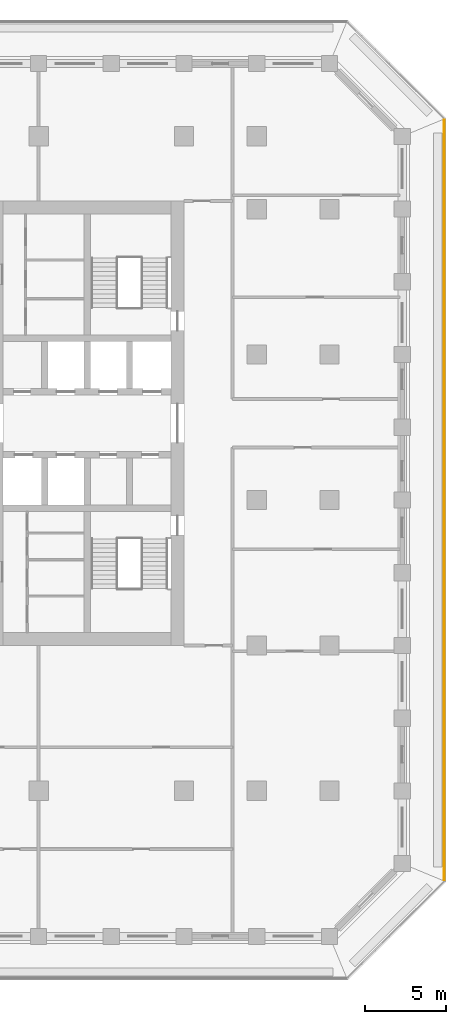
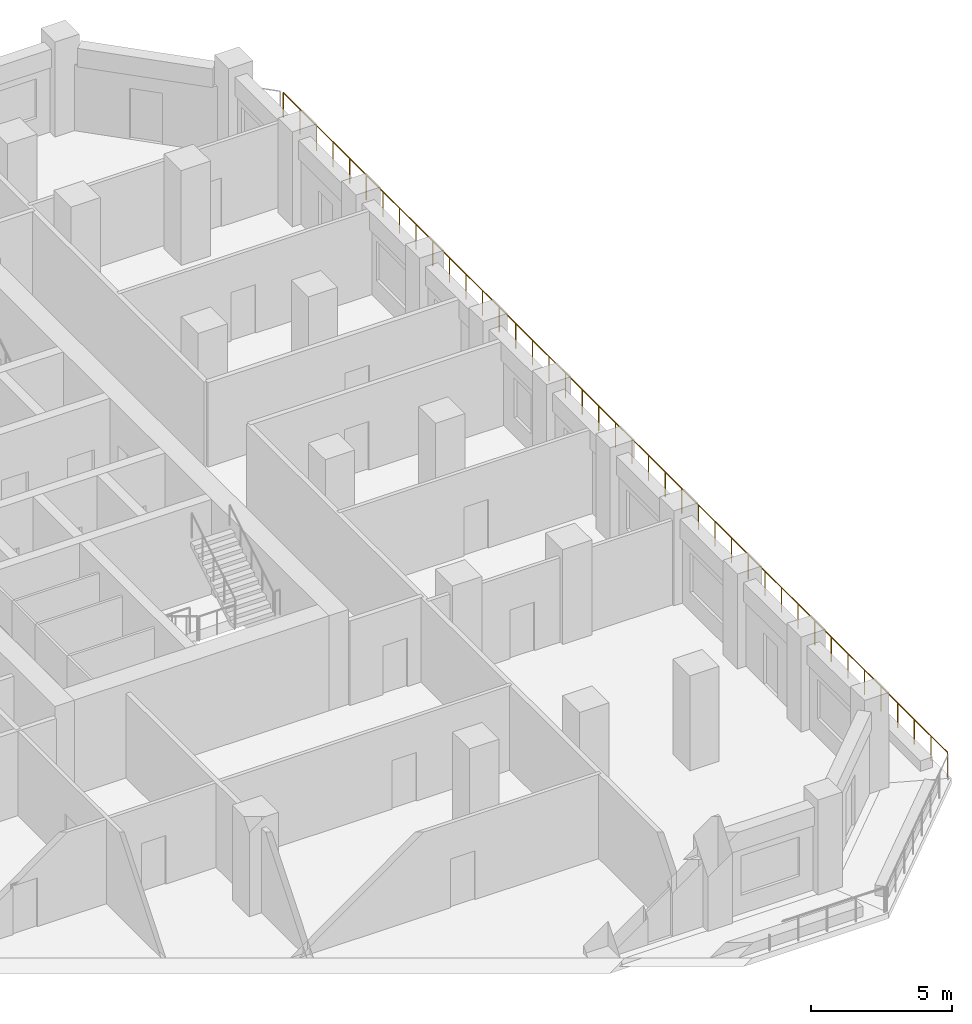
# One storey, part 12 of 16: 1 railing.
"""IFC4 building model written with IfcOpenShell, lengths in metres."""

from ifc_helpers import new_model, si_unit, direction, frame, origin, origin_2d, place, context, subcontext, project, spatial, circle, extrude, material, type_object, element, save


model = new_model("IFC4")

# Units and contexts
model_context = context("Model", 3, precision=1e-05, world=origin(), true_north=direction((0.0, 1.0)))
body_context = subcontext(model_context, "Body", "Model", "MODEL_VIEW")
ifc_project = project(units=[si_unit("LENGTHUNIT", "METRE"), si_unit("AREAUNIT", "SQUARE_METRE"), si_unit("VOLUMEUNIT", "CUBIC_METRE"), si_unit("PLANEANGLEUNIT", "RADIAN"), si_unit("MASSUNIT", "GRAM", prefix="KILO")], contexts=[model_context])

# Site, building, storey
site_placement = place(None, origin())
site = spatial("IfcSite", under=ifc_project, at=site_placement, CompositionType="ELEMENT")
building_placement = place(site_placement, origin())
building = spatial("IfcBuilding", under=site, at=building_placement, Name="Corbel Stack Research Tower", CompositionType="ELEMENT")
storey_placement = place(building_placement, frame((0.0, 0.0, 212.0)))
storey = spatial("IfcBuildingStorey", under=building, at=storey_placement, Name="L48", CompositionType="ELEMENT", Elevation=212.0)

# Railing
ifc_material = material(Name="Powder-coated steel guard", Category="steel")
railing_type = type_object("IfcRailingType", Name="Steel and glass guard 1100", PredefinedType="GUARDRAIL", material=ifc_material)
railing_placement = place(storey_placement, frame((34.10009765625, -23.50537109375, 0.0)))
element("IfcRailing", 1, at=railing_placement, inside=storey, type_object=railing_type, Name="Loggia guard L48 E", PredefinedType="GUARDRAIL", context=body_context, shape_type="SweptSolid", body=[
    extrude(circle(Radius=0.02392578125, at=origin_2d()), frame((0.0, 0.0, 1.076171875), z_axis=(0.0, 1.0, 0.0), x_axis=(-1.0, 0.0, 0.0)), (0.0, 0.0, 1.0), 47.0107421875),
    extrude(circle(Radius=0.02099609375, at=origin_2d()), origin(), (0.0, 0.0, 1.0), 1.052001953125),
    extrude(circle(Radius=0.02099609375, at=origin_2d()), frame((0.0, 1.17529296875, 0.0)), (0.0, 0.0, 1.0), 1.052001953125),
    extrude(circle(Radius=0.02099609375, at=origin_2d()), frame((0.0, 2.3505859375, 0.0)), (0.0, 0.0, 1.0), 1.052001953125),
    extrude(circle(Radius=0.02099609375, at=origin_2d()), frame((0.0, 3.52587890625, 0.0)), (0.0, 0.0, 1.0), 1.052001953125),
    extrude(circle(Radius=0.02099609375, at=origin_2d()), frame((0.0, 4.701171875, 0.0)), (0.0, 0.0, 1.0), 1.052001953125),
    extrude(circle(Radius=0.02099609375, at=origin_2d()), frame((0.0, 5.87646484375, 0.0)), (0.0, 0.0, 1.0), 1.052001953125),
    extrude(circle(Radius=0.02099609375, at=origin_2d()), frame((0.0, 7.051513671875, 0.0)), (0.0, 0.0, 1.0), 1.052001953125),
    extrude(circle(Radius=0.02099609375, at=origin_2d()), frame((0.0, 8.226806640625, 0.0)), (0.0, 0.0, 1.0), 1.052001953125),
    extrude(circle(Radius=0.02099609375, at=origin_2d()), frame((0.0, 9.402099609375, 0.0)), (0.0, 0.0, 1.0), 1.052001953125),
    extrude(circle(Radius=0.02099609375, at=origin_2d()), frame((0.0, 10.577392578125, 0.0)), (0.0, 0.0, 1.0), 1.052001953125),
    extrude(circle(Radius=0.02099609375, at=origin_2d()), frame((0.0, 11.752685546875, 0.0)), (0.0, 0.0, 1.0), 1.052001953125),
    extrude(circle(Radius=0.02099609375, at=origin_2d()), frame((0.0, 12.927978515625, 0.0)), (0.0, 0.0, 1.0), 1.052001953125),
    extrude(circle(Radius=0.02099609375, at=origin_2d()), frame((0.0, 14.103271484375, 0.0)), (0.0, 0.0, 1.0), 1.052001953125),
    extrude(circle(Radius=0.02099609375, at=origin_2d()), frame((0.0, 15.278564453125, 0.0)), (0.0, 0.0, 1.0), 1.052001953125),
    extrude(circle(Radius=0.02099609375, at=origin_2d()), frame((0.0, 16.453857421875, 0.0)), (0.0, 0.0, 1.0), 1.052001953125),
    extrude(circle(Radius=0.02099609375, at=origin_2d()), frame((0.0, 17.62890625, 0.0)), (0.0, 0.0, 1.0), 1.052001953125),
    extrude(circle(Radius=0.02099609375, at=origin_2d()), frame((0.0, 18.80419921875, 0.0)), (0.0, 0.0, 1.0), 1.052001953125),
    extrude(circle(Radius=0.02099609375, at=origin_2d()), frame((0.0, 19.9794921875, 0.0)), (0.0, 0.0, 1.0), 1.052001953125),
    extrude(circle(Radius=0.02099609375, at=origin_2d()), frame((0.0, 21.15478515625, 0.0)), (0.0, 0.0, 1.0), 1.052001953125),
    extrude(circle(Radius=0.02099609375, at=origin_2d()), frame((0.0, 22.330078125, 0.0)), (0.0, 0.0, 1.0), 1.052001953125),
    extrude(circle(Radius=0.02099609375, at=origin_2d()), frame((0.0, 23.50537109375, 0.0)), (0.0, 0.0, 1.0), 1.052001953125),
    extrude(circle(Radius=0.02099609375, at=origin_2d()), frame((0.0, 24.6806640625, 0.0)), (0.0, 0.0, 1.0), 1.052001953125),
    extrude(circle(Radius=0.02099609375, at=origin_2d()), frame((0.0, 25.85595703125, 0.0)), (0.0, 0.0, 1.0), 1.052001953125),
    extrude(circle(Radius=0.02099609375, at=origin_2d()), frame((0.0, 27.03125, 0.0)), (0.0, 0.0, 1.0), 1.052001953125),
    extrude(circle(Radius=0.02099609375, at=origin_2d()), frame((0.0, 28.20654296875, 0.0)), (0.0, 0.0, 1.0), 1.052001953125),
    extrude(circle(Radius=0.02099609375, at=origin_2d()), frame((0.0, 29.3818359375, 0.0)), (0.0, 0.0, 1.0), 1.052001953125),
    extrude(circle(Radius=0.02099609375, at=origin_2d()), frame((0.0, 30.556884765625, 0.0)), (0.0, 0.0, 1.0), 1.052001953125),
    extrude(circle(Radius=0.02099609375, at=origin_2d()), frame((0.0, 31.732177734375, 0.0)), (0.0, 0.0, 1.0), 1.052001953125),
    extrude(circle(Radius=0.02099609375, at=origin_2d()), frame((0.0, 32.907470703125, 0.0)), (0.0, 0.0, 1.0), 1.052001953125),
    extrude(circle(Radius=0.02099609375, at=origin_2d()), frame((0.0, 34.082763671875, 0.0)), (0.0, 0.0, 1.0), 1.052001953125),
    extrude(circle(Radius=0.02099609375, at=origin_2d()), frame((0.0, 35.258056640625, 0.0)), (0.0, 0.0, 1.0), 1.052001953125),
    extrude(circle(Radius=0.02099609375, at=origin_2d()), frame((0.0, 36.433349609375, 0.0)), (0.0, 0.0, 1.0), 1.052001953125),
    extrude(circle(Radius=0.02099609375, at=origin_2d()), frame((0.0, 37.608642578125, 0.0)), (0.0, 0.0, 1.0), 1.052001953125),
    extrude(circle(Radius=0.02099609375, at=origin_2d()), frame((0.0, 38.783935546875, 0.0)), (0.0, 0.0, 1.0), 1.052001953125),
    extrude(circle(Radius=0.02099609375, at=origin_2d()), frame((0.0, 39.959228515625, 0.0)), (0.0, 0.0, 1.0), 1.052001953125),
    extrude(circle(Radius=0.02099609375, at=origin_2d()), frame((0.0, 41.13427734375, 0.0)), (0.0, 0.0, 1.0), 1.052001953125),
    extrude(circle(Radius=0.02099609375, at=origin_2d()), frame((0.0, 42.3095703125, 0.0)), (0.0, 0.0, 1.0), 1.052001953125),
    extrude(circle(Radius=0.02099609375, at=origin_2d()), frame((0.0, 43.48486328125, 0.0)), (0.0, 0.0, 1.0), 1.052001953125),
    extrude(circle(Radius=0.02099609375, at=origin_2d()), frame((0.0, 44.66015625, 0.0)), (0.0, 0.0, 1.0), 1.052001953125),
    extrude(circle(Radius=0.02099609375, at=origin_2d()), frame((0.0, 45.83544921875, 0.0)), (0.0, 0.0, 1.0), 1.052001953125),
    extrude(circle(Radius=0.02099609375, at=origin_2d()), frame((0.0, 47.0107421875, 0.0)), (0.0, 0.0, 1.0), 1.052001953125),
])

save(model, "model.ifc")
